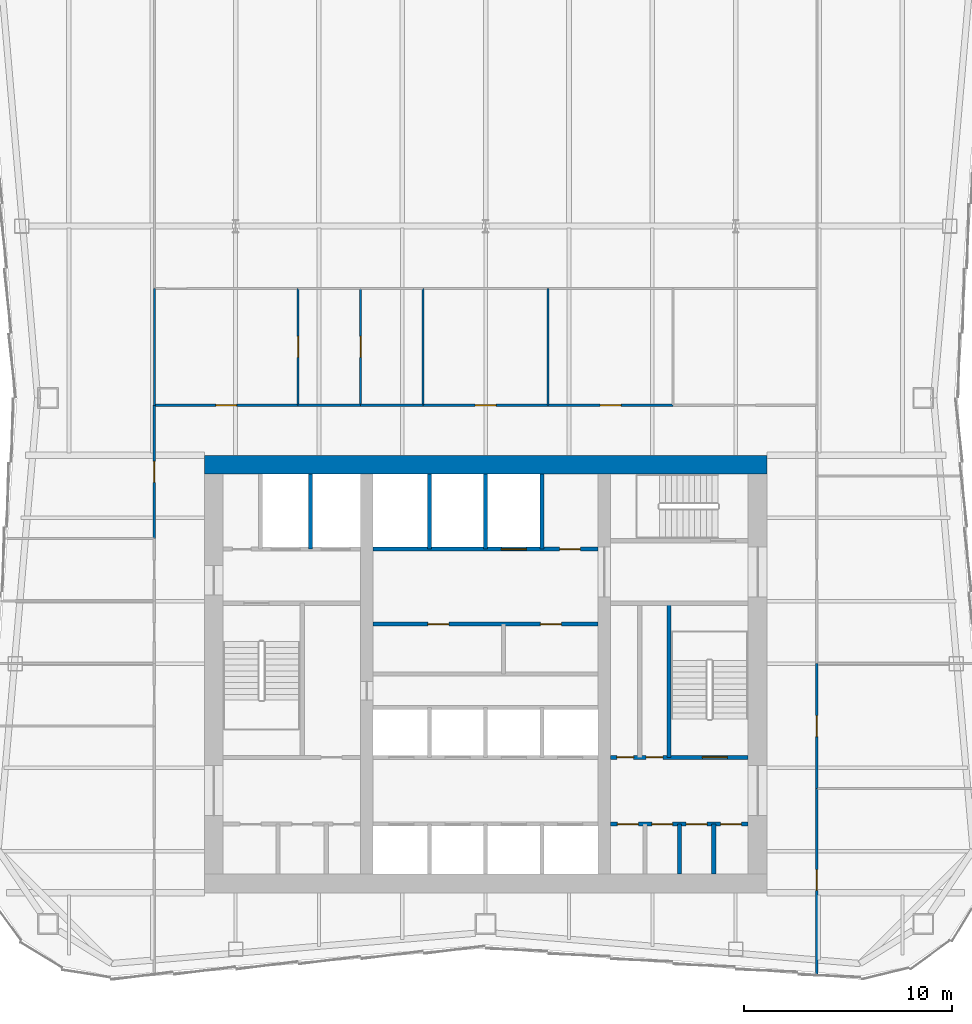
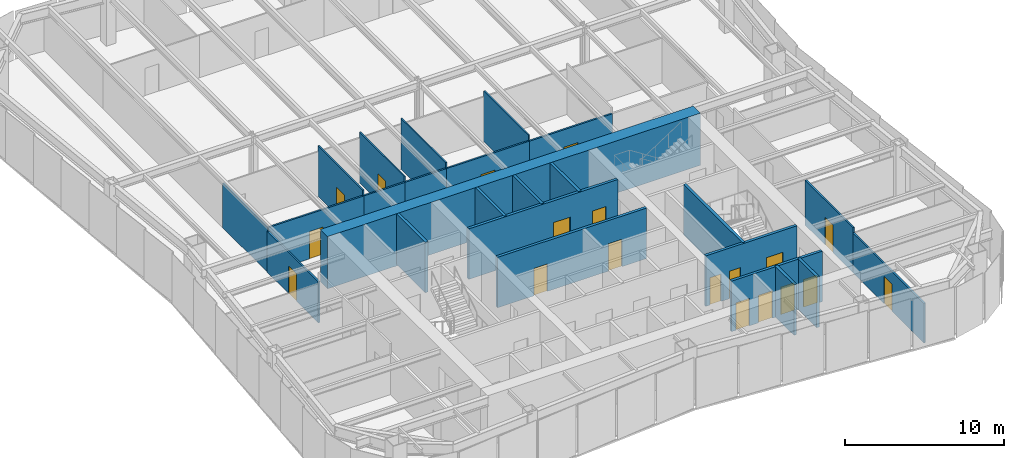
# One storey, part 6 of 10: 25 walls, 19 doors, 19 openings.
"""IFC4 building model written with IfcOpenShell, lengths in metres."""

from ifc_helpers import new_model, si_unit, direction, frame, frame_2d, origin, place, context, subcontext, project, spatial, rectangle, extrude, material, layer, layer_set, type_object, element, fill, save


model = new_model("IFC4")

# Units and contexts
model_context = context("Model", 3, precision=1e-05, world=origin(), true_north=direction((0.0, 1.0)))
body_context = subcontext(model_context, "Body", "Model", "MODEL_VIEW")
ifc_project = project(units=[si_unit("LENGTHUNIT", "METRE"), si_unit("AREAUNIT", "SQUARE_METRE"), si_unit("VOLUMEUNIT", "CUBIC_METRE"), si_unit("PLANEANGLEUNIT", "RADIAN"), si_unit("MASSUNIT", "GRAM", prefix="KILO")], contexts=[model_context])

# Site, building, storey
site_placement = place(None, origin())
site = spatial("IfcSite", under=ifc_project, at=site_placement, CompositionType="ELEMENT")
building_placement = place(site_placement, origin())
building = spatial("IfcBuilding", under=site, at=building_placement, Name="Verdant Reach Tower", CompositionType="ELEMENT")
storey_placement = place(building_placement, frame((0.0, 0.0, 198.0)))
storey = spatial("IfcBuildingStorey", under=building, at=storey_placement, Name="L45", CompositionType="ELEMENT", Elevation=198.0)

# Wall, openings, doors
ifc_material_1 = material(Name="Gypsum board on steel studs", Category="steel")
ifc_layer_1 = layer(ifc_material_1, 0.199951171875)
ifc_layer_set_1 = layer_set([ifc_layer_1], Name="CO-WALL-ROOM")
wall_type_1 = type_object("IfcWallType", Name="CO-WALL-ROOM", PredefinedType="PARTITIONING", material=ifc_layer_set_1)
wall_1_placement = place(storey_placement, frame((6.0, 20.800048828125, 0.0), z_axis=(0.0, 0.0, 1.0), x_axis=(1.0, 0.0, 0.0)))
wall_1 = element("IfcWall", 1, at=wall_1_placement, inside=storey, type_object=wall_type_1, Name="Core partition, L45", PredefinedType="PARTITIONING", context=body_context, shape_type="SweptSolid", body=[
    extrude(rectangle(XDim=6.60009765625, YDim=0.199951171875, at=frame_2d((3.300048828125, 0.0))), origin(), (0.0, 0.0, 1.0), 3.8701171875),
])
opening_1_placement = place(wall_1_placement, frame((0.324951171875, 0.0, 0.0)))
opening_1 = element("IfcOpeningElement", 2, at=opening_1_placement, cuts=wall_1, Name="Opening CD", PredefinedType="OPENING", context=body_context, shape_type="SweptSolid", body=[
    extrude(rectangle(XDim=1.0, YDim=2.10009765625, at=frame_2d((0.5, 1.050048828125))), frame((0.0, 0.10986328125, 0.0), z_axis=(0.0, -1.0, 0.0), x_axis=(1.0, 0.0, 0.0)), (0.0, 0.0, 1.0), 0.219970703125),
])
opening_2_placement = place(wall_1_placement, frame((1.97509765625, 0.0, 0.0)))
opening_2 = element("IfcOpeningElement", 3, at=opening_2_placement, cuts=wall_1, Name="Opening CD", PredefinedType="OPENING", context=body_context, shape_type="SweptSolid", body=[
    extrude(rectangle(XDim=1.0, YDim=2.10009765625, at=frame_2d((0.5, 1.050048828125))), frame((0.0, 0.10986328125, 0.0), z_axis=(0.0, -1.0, 0.0), x_axis=(1.0, 0.0, 0.0)), (0.0, 0.0, 1.0), 0.219970703125),
])
opening_3_placement = place(wall_1_placement, frame((3.625, 0.0, 0.0)))
opening_3 = element("IfcOpeningElement", 4, at=opening_3_placement, cuts=wall_1, Name="Opening CD", PredefinedType="OPENING", context=body_context, shape_type="SweptSolid", body=[
    extrude(rectangle(XDim=1.0, YDim=2.10009765625, at=frame_2d((0.5, 1.050048828125))), frame((0.0, 0.10986328125, 0.0), z_axis=(0.0, -1.0, 0.0), x_axis=(1.0, 0.0, 0.0)), (0.0, 0.0, 1.0), 0.219970703125),
])
opening_4_placement = place(wall_1_placement, frame((5.27490234375, 0.0, 0.0)))
opening_4 = element("IfcOpeningElement", 5, at=opening_4_placement, cuts=wall_1, Name="Opening CD", PredefinedType="OPENING", context=body_context, shape_type="SweptSolid", body=[
    extrude(rectangle(XDim=1.0, YDim=2.10009765625, at=frame_2d((0.5, 1.050048828125))), frame((0.0, 0.10986328125, 0.0), z_axis=(0.0, -1.0, 0.0), x_axis=(1.0, 0.0, 0.0)), (0.0, 0.0, 1.0), 0.219970703125),
])
ifc_material_2 = material(Name="Timber", Category="wood")
door_type_1 = type_object("IfcDoorType", Name="CO-DOOR-ROOM", OperationType="NOTDEFINED", PredefinedType="DOOR", material=ifc_material_2)
door_1_placement = place(opening_1_placement, origin())
door_1 = element("IfcDoor", 6, at=door_1_placement, inside=storey, type_object=door_type_1, Name="Core room door, L45", OperationType="SINGLE_SWING_LEFT", OverallHeight=2.10009765625, OverallWidth=1.0, PredefinedType="DOOR", context=body_context, shape_type="SweptSolid", body=[
    extrude(rectangle(XDim=1.0, YDim=2.10009765625, at=frame_2d((0.5, 1.050048828125))), frame((0.0, 0.02490234375, 0.0), z_axis=(0.0, -1.0, 0.0), x_axis=(1.0, 0.0, 0.0)), (0.0, 0.0, 1.0), 0.050048828125),
])
fill(opening_1, door_1)
door_2_placement = place(opening_2_placement, origin())
door_2 = element("IfcDoor", 7, at=door_2_placement, inside=storey, type_object=door_type_1, Name="Core room door, L45", OperationType="SINGLE_SWING_LEFT", OverallHeight=2.10009765625, OverallWidth=1.0, PredefinedType="DOOR", context=body_context, shape_type="SweptSolid", body=[
    extrude(rectangle(XDim=1.0, YDim=2.10009765625, at=frame_2d((0.5, 1.050048828125))), frame((0.0, 0.02490234375, 0.0), z_axis=(0.0, -1.0, 0.0), x_axis=(1.0, 0.0, 0.0)), (0.0, 0.0, 1.0), 0.050048828125),
])
fill(opening_2, door_2)
door_3_placement = place(opening_3_placement, origin())
door_3 = element("IfcDoor", 8, at=door_3_placement, inside=storey, type_object=door_type_1, Name="Core room door, L45", OperationType="SINGLE_SWING_RIGHT", OverallHeight=2.10009765625, OverallWidth=1.0, PredefinedType="DOOR", context=body_context, shape_type="SweptSolid", body=[
    extrude(rectangle(XDim=1.0, YDim=2.10009765625, at=frame_2d((0.5, 1.050048828125))), frame((0.0, 0.02490234375, 0.0), z_axis=(0.0, -1.0, 0.0), x_axis=(1.0, 0.0, 0.0)), (0.0, 0.0, 1.0), 0.050048828125),
])
fill(opening_3, door_3)
door_4_placement = place(opening_4_placement, origin())
door_4 = element("IfcDoor", 9, at=door_4_placement, inside=storey, type_object=door_type_1, Name="Core room door, L45", OperationType="SINGLE_SWING_RIGHT", OverallHeight=2.10009765625, OverallWidth=1.0, PredefinedType="DOOR", context=body_context, shape_type="SweptSolid", body=[
    extrude(rectangle(XDim=1.0, YDim=2.10009765625, at=frame_2d((0.5, 1.050048828125))), frame((0.0, 0.02490234375, 0.0), z_axis=(0.0, -1.0, 0.0), x_axis=(1.0, 0.0, 0.0)), (0.0, 0.0, 1.0), 0.050048828125),
])
fill(opening_4, door_4)

wall_2_placement = place(storey_placement, frame((-5.39990234375, 30.39990234375, 0.0), z_axis=(0.0, 0.0, 1.0), x_axis=(1.0, 0.0, 0.0)))
wall_2 = element("IfcWall", 10, at=wall_2_placement, inside=storey, type_object=wall_type_1, Name="Core partition, L45", PredefinedType="PARTITIONING", context=body_context, shape_type="SweptSolid", body=[
    extrude(rectangle(XDim=10.7998046875, YDim=0.199951171875, at=frame_2d((5.39990234375, 0.0))), origin(), (0.0, 0.0, 1.0), 3.8701171875),
])
opening_5_placement = place(wall_2_placement, frame((2.632080078125, 0.0, 0.0)))
opening_5 = element("IfcOpeningElement", 11, at=opening_5_placement, cuts=wall_2, Name="Opening CD", PredefinedType="OPENING", context=body_context, shape_type="SweptSolid", body=[
    extrude(rectangle(XDim=1.0, YDim=2.10009765625, at=frame_2d((0.5, 1.050048828125))), frame((0.0, 0.10986328125, 0.0), z_axis=(0.0, -1.0, 0.0), x_axis=(1.0, 0.0, 0.0)), (0.0, 0.0, 1.0), 0.219970703125),
])
opening_6_placement = place(wall_2_placement, frame((8.031982421875, 0.0, 0.0)))
opening_6 = element("IfcOpeningElement", 12, at=opening_6_placement, cuts=wall_2, Name="Opening CD", PredefinedType="OPENING", context=body_context, shape_type="SweptSolid", body=[
    extrude(rectangle(XDim=1.0, YDim=2.10009765625, at=frame_2d((0.5, 1.050048828125))), frame((0.0, 0.10986328125, 0.0), z_axis=(0.0, -1.0, 0.0), x_axis=(1.0, 0.0, 0.0)), (0.0, 0.0, 1.0), 0.219970703125),
])
door_5_placement = place(opening_5_placement, origin())
door_5 = element("IfcDoor", 13, at=door_5_placement, inside=storey, type_object=door_type_1, Name="Core room door, L45", OperationType="SINGLE_SWING_LEFT", OverallHeight=2.10009765625, OverallWidth=1.0, PredefinedType="DOOR", context=body_context, shape_type="SweptSolid", body=[
    extrude(rectangle(XDim=1.0, YDim=2.10009765625, at=frame_2d((0.5, 1.050048828125))), frame((0.0, 0.02490234375, 0.0), z_axis=(0.0, -1.0, 0.0), x_axis=(1.0, 0.0, 0.0)), (0.0, 0.0, 1.0), 0.050048828125),
])
fill(opening_5, door_5)
door_6_placement = place(opening_6_placement, origin())
door_6 = element("IfcDoor", 14, at=door_6_placement, inside=storey, type_object=door_type_1, Name="Core room door, L45", OperationType="SINGLE_SWING_RIGHT", OverallHeight=2.10009765625, OverallWidth=1.0, PredefinedType="DOOR", context=body_context, shape_type="SweptSolid", body=[
    extrude(rectangle(XDim=1.0, YDim=2.10009765625, at=frame_2d((0.5, 1.050048828125))), frame((0.0, 0.02490234375, 0.0), z_axis=(0.0, -1.0, 0.0), x_axis=(1.0, 0.0, 0.0)), (0.0, 0.0, 1.0), 0.050048828125),
])
fill(opening_6, door_6)

# Walls
for number, where, z_axis, x_axis, name in (
    (15, (9.300048828125, 18.39990234375, 0.0), (0.0, 0.0, 1.0), (0.0, 1.0, 0.0), "Core partition, L45"),
    (16, (10.949951171875, 18.39990234375, 0.0), (0.0, 0.0, 1.0), (0.0, 1.0, 0.0), "Core partition, L45"),
):
    element("IfcWall", number, at=place(storey_placement, frame(where, z_axis=z_axis, x_axis=x_axis)), inside=storey, type_object=wall_type_1, Name=name, PredefinedType="PARTITIONING", context=body_context, shape_type="SweptSolid", body=[
        extrude(rectangle(XDim=2.400146484375, YDim=0.199951171875, at=frame_2d((1.2001953125, 0.0))), origin(), (0.0, 0.0, 1.0), 3.8701171875),
    ])

# Wall, openings, doors
ifc_material_3 = material(Name="Concrete C40/50", Category="concrete")
ifc_layer_2 = layer(ifc_material_3, 0.199951171875)
ifc_layer_set_2 = layer_set([ifc_layer_2], Name="CO-WALL-SHAFT")
wall_type_2 = type_object("IfcWallType", Name="CO-WALL-SHAFT", PredefinedType="PARTITIONING", material=ifc_layer_set_2)
wall_3_placement = place(storey_placement, frame((-5.39990234375, 34.0, 0.0), z_axis=(0.0, 0.0, 1.0), x_axis=(1.0, 0.0, 0.0)))
wall_3 = element("IfcWall", 17, at=wall_3_placement, inside=storey, type_object=wall_type_2, Name="Lift shaft wall, L45", PredefinedType="PARTITIONING", context=body_context, shape_type="SweptSolid", body=[
    extrude(rectangle(XDim=10.7998046875, YDim=0.199951171875, at=frame_2d((5.39990234375, 0.0))), origin(), (0.0, 0.0, 1.0), 3.8701171875),
])
opening_7_placement = place(wall_3_placement, frame((6.14990234375, 0.0, 0.0)))
opening_7 = element("IfcOpeningElement", 18, at=opening_7_placement, cuts=wall_3, Name="Opening LD-SL1", PredefinedType="OPENING", context=body_context, shape_type="SweptSolid", body=[
    extrude(rectangle(XDim=1.199951171875, YDim=2.199951171875, at=frame_2d((0.60009765625, 1.10009765625))), frame((0.0, 0.10986328125, 0.0), z_axis=(0.0, -1.0, 0.0), x_axis=(1.0, 0.0, 0.0)), (0.0, 0.0, 1.0), 0.219970703125),
])
opening_8_placement = place(wall_3_placement, frame((8.949951171875, 0.0, 0.0)))
opening_8 = element("IfcOpeningElement", 19, at=opening_8_placement, cuts=wall_3, Name="Opening CD", PredefinedType="OPENING", context=body_context, shape_type="SweptSolid", body=[
    extrude(rectangle(XDim=1.0, YDim=2.10009765625, at=frame_2d((0.5, 1.050048828125))), frame((0.0, 0.10986328125, 0.0), z_axis=(0.0, -1.0, 0.0), x_axis=(1.0, 0.0, 0.0)), (0.0, 0.0, 1.0), 0.219970703125),
])
ifc_material_4 = material(Name="Stainless steel", Category="steel")
door_type_2 = type_object("IfcDoorType", Name="CO-DOOR-LANDING", OperationType="SLIDING_TO_LEFT", PredefinedType="DOOR", material=ifc_material_4)
door_7_placement = place(opening_7_placement, origin())
door_7 = element("IfcDoor", 20, at=door_7_placement, inside=storey, type_object=door_type_2, Name="Landing door SL1, L45", OperationType="SLIDING_TO_LEFT", OverallHeight=2.199951171875, OverallWidth=1.199951171875, PredefinedType="DOOR", context=body_context, shape_type="SweptSolid", body=[
    extrude(rectangle(XDim=1.199951171875, YDim=2.199951171875, at=frame_2d((0.60009765625, 1.10009765625))), frame((0.0, 0.02490234375, 0.0), z_axis=(0.0, -1.0, 0.0), x_axis=(1.0, 0.0, 0.0)), (0.0, 0.0, 1.0), 0.050048828125),
])
fill(opening_7, door_7)
door_8_placement = place(opening_8_placement, origin())
door_8 = element("IfcDoor", 21, at=door_8_placement, inside=storey, type_object=door_type_1, Name="Core room door, L45", OperationType="SINGLE_SWING_LEFT", OverallHeight=2.10009765625, OverallWidth=1.0, PredefinedType="DOOR", context=body_context, shape_type="SweptSolid", body=[
    extrude(rectangle(XDim=1.0, YDim=2.10009765625, at=frame_2d((0.5, 1.050048828125))), frame((0.0, 0.02490234375, 0.0), z_axis=(0.0, -1.0, 0.0), x_axis=(1.0, 0.0, 0.0)), (0.0, 0.0, 1.0), 0.050048828125),
])
fill(opening_8, door_8)

# Walls
for number, where, z_axis, x_axis, name in (
    (22, (-8.39990234375, 34.0, 0.0), (0.0, 0.0, 1.0), (0.0, 1.0, 0.0), "Lift shaft wall, L45"),
    (23, (-2.699951171875, 34.0, 0.0), (0.0, 0.0, 1.0), (0.0, 1.0, 0.0), "Lift shaft wall, L45"),
    (24, (0.0, 34.0, 0.0), (0.0, 0.0, 1.0), (0.0, 1.0, 0.0), "Lift shaft wall, L45"),
    (25, (2.699951171875, 34.0, 0.0), (0.0, 0.0, 1.0), (0.0, 1.0, 0.0), "Lift shaft wall, L45"),
):
    element("IfcWall", number, at=place(storey_placement, frame(where, z_axis=z_axis, x_axis=x_axis)), inside=storey, type_object=wall_type_2, Name=name, PredefinedType="PARTITIONING", context=body_context, shape_type="SweptSolid", body=[
        extrude(rectangle(XDim=3.60009765625, YDim=0.199951171875, at=frame_2d((1.800048828125, 0.0))), origin(), (0.0, 0.0, 1.0), 3.8701171875),
    ])

# Wall, openings, doors
ifc_layer_3 = layer(ifc_material_3, 0.199951171875)
ifc_layer_set_3 = layer_set([ifc_layer_3], Name="CO-WALL-STAIR")
wall_type_3 = type_object("IfcWallType", Name="CO-WALL-STAIR", PredefinedType="PARTITIONING", material=ifc_layer_set_3)
wall_4_placement = place(storey_placement, frame((6.0, 24.0, 0.0), z_axis=(0.0, 0.0, 1.0), x_axis=(1.0, 0.0, 0.0)))
wall_4 = element("IfcWall", 26, at=wall_4_placement, inside=storey, type_object=wall_type_3, Name="Stair enclosure wall, L45", PredefinedType="PARTITIONING", context=body_context, shape_type="SweptSolid", body=[
    extrude(rectangle(XDim=6.60009765625, YDim=0.199951171875, at=frame_2d((3.300048828125, 0.0))), origin(), (0.0, 0.0, 1.0), 3.8701171875),
])
opening_9_placement = place(wall_4_placement, frame((0.300048828125, 0.0, 0.0)))
opening_9 = element("IfcOpeningElement", 27, at=opening_9_placement, cuts=wall_4, Name="Opening CDN", PredefinedType="OPENING", context=body_context, shape_type="SweptSolid", body=[
    extrude(rectangle(XDim=0.800048828125, YDim=2.10009765625, at=frame_2d((0.39990234375, 1.050048828125))), frame((0.0, 0.10986328125, 0.0), z_axis=(0.0, -1.0, 0.0), x_axis=(1.0, 0.0, 0.0)), (0.0, 0.0, 1.0), 0.219970703125),
])
opening_10_placement = place(wall_4_placement, frame((1.699951171875, 0.0, 0.0)))
opening_10 = element("IfcOpeningElement", 28, at=opening_10_placement, cuts=wall_4, Name="Opening CDN", PredefinedType="OPENING", context=body_context, shape_type="SweptSolid", body=[
    extrude(rectangle(XDim=0.800048828125, YDim=2.10009765625, at=frame_2d((0.39990234375, 1.050048828125))), frame((0.0, 0.10986328125, 0.0), z_axis=(0.0, -1.0, 0.0), x_axis=(1.0, 0.0, 0.0)), (0.0, 0.0, 1.0), 0.219970703125),
])
opening_11_placement = place(wall_4_placement, frame((4.39990234375, 0.0, 0.0)))
opening_11 = element("IfcOpeningElement", 29, at=opening_11_placement, cuts=wall_4, Name="Opening SD", PredefinedType="OPENING", context=body_context, shape_type="SweptSolid", body=[
    extrude(rectangle(XDim=1.199951171875, YDim=2.199951171875, at=frame_2d((0.60009765625, 1.10009765625))), frame((0.0, 0.10986328125, 0.0), z_axis=(0.0, -1.0, 0.0), x_axis=(1.0, 0.0, 0.0)), (0.0, 0.0, 1.0), 0.219970703125),
])
door_type_3 = type_object("IfcDoorType", Name="CO-DOOR-ROOM-NARROW", OperationType="NOTDEFINED", PredefinedType="DOOR", material=ifc_material_2)
door_9_placement = place(opening_9_placement, origin())
door_9 = element("IfcDoor", 30, at=door_9_placement, inside=storey, type_object=door_type_3, Name="Core room door, L45", OperationType="SINGLE_SWING_LEFT", OverallHeight=2.10009765625, OverallWidth=0.800048828125, PredefinedType="DOOR", context=body_context, shape_type="SweptSolid", body=[
    extrude(rectangle(XDim=0.800048828125, YDim=2.10009765625, at=frame_2d((0.39990234375, 1.050048828125))), frame((0.0, 0.02490234375, 0.0), z_axis=(0.0, -1.0, 0.0), x_axis=(1.0, 0.0, 0.0)), (0.0, 0.0, 1.0), 0.050048828125),
])
fill(opening_9, door_9)
door_10_placement = place(opening_10_placement, origin())
door_10 = element("IfcDoor", 31, at=door_10_placement, inside=storey, type_object=door_type_3, Name="Core room door, L45", OperationType="SINGLE_SWING_RIGHT", OverallHeight=2.10009765625, OverallWidth=0.800048828125, PredefinedType="DOOR", context=body_context, shape_type="SweptSolid", body=[
    extrude(rectangle(XDim=0.800048828125, YDim=2.10009765625, at=frame_2d((0.39990234375, 1.050048828125))), frame((0.0, 0.02490234375, 0.0), z_axis=(0.0, -1.0, 0.0), x_axis=(1.0, 0.0, 0.0)), (0.0, 0.0, 1.0), 0.050048828125),
])
fill(opening_10, door_10)
ifc_material_5 = material(Name="Steel", Category="steel")
door_type_4 = type_object("IfcDoorType", Name="CO-DOOR-STAIR", OperationType="NOTDEFINED", PredefinedType="DOOR", material=ifc_material_5)
door_11_placement = place(opening_11_placement, origin())
door_11 = element("IfcDoor", 32, at=door_11_placement, inside=storey, type_object=door_type_4, Name="Stair door, L45", OperationType="SINGLE_SWING_LEFT", OverallHeight=2.199951171875, OverallWidth=1.199951171875, PredefinedType="DOOR", context=body_context, shape_type="SweptSolid", body=[
    extrude(rectangle(XDim=1.199951171875, YDim=2.199951171875, at=frame_2d((0.60009765625, 1.10009765625))), frame((0.0, 0.02490234375, 0.0), z_axis=(0.0, -1.0, 0.0), x_axis=(1.0, 0.0, 0.0)), (0.0, 0.0, 1.0), 0.050048828125),
])
fill(opening_11, door_11)

# Wall
wall_5_placement = place(storey_placement, frame((8.800048828125, 24.0, 0.0), z_axis=(0.0, 0.0, 1.0), x_axis=(0.0, 1.0, 0.0)))
element("IfcWall", 33, at=wall_5_placement, inside=storey, type_object=wall_type_3, Name="Stair enclosure wall, L45", PredefinedType="PARTITIONING", context=body_context, shape_type="SweptSolid", body=[
    extrude(rectangle(XDim=7.39990234375, YDim=0.199951171875, at=frame_2d((3.699951171875, 0.0))), origin(), (0.0, 0.0, 1.0), 3.8701171875),
])

# Wall, opening, door
ifc_layer_4 = layer(ifc_material_1, 0.10009765625)
ifc_layer_set_4 = layer_set([ifc_layer_4], Name="FL-W1 Partition 100")
wall_type_4 = type_object("IfcWallType", Name="FL-W1 Partition 100", PredefinedType="PARTITIONING", material=ifc_layer_set_4)
wall_6_placement = place(storey_placement, frame((-9.0, 46.5, 0.0), z_axis=(0.0, 0.0, 1.0), x_axis=(0.0, -1.0, 0.0)))
wall_6 = element("IfcWall", 34, at=wall_6_placement, inside=storey, type_object=wall_type_4, Name="Partition 45.16", PredefinedType="PARTITIONING", context=body_context, shape_type="SweptSolid", body=[
    extrude(rectangle(XDim=5.60009765625, YDim=0.10009765625, at=frame_2d((2.800048828125, 0.0))), origin(), (0.0, 0.0, 1.0), 3.8701171875),
])
opening_12_placement = place(wall_6_placement, frame((2.300048828125, 0.0, 0.0)))
opening_12 = element("IfcOpeningElement", 35, at=opening_12_placement, cuts=wall_6, Name="Opening D3", PredefinedType="OPENING", context=body_context, shape_type="SweptSolid", body=[
    extrude(rectangle(XDim=1.0, YDim=2.10009765625, at=frame_2d((0.5, 1.050048828125))), frame((0.0, 0.06005859375, 0.0), z_axis=(0.0, -1.0, 0.0), x_axis=(1.0, 0.0, 0.0)), (0.0, 0.0, 1.0), 0.1201171875),
])
ifc_material_6 = material(Name="Painted timber door leaf", Category="wood")
door_type_5 = type_object("IfcDoorType", Name="FL-D3 Door 1000x2100", OperationType="NOTDEFINED", PredefinedType="DOOR", material=ifc_material_6)
door_12_placement = place(opening_12_placement, origin())
door_12 = element("IfcDoor", 36, at=door_12_placement, inside=storey, type_object=door_type_5, Name="Door 45-014", OperationType="SINGLE_SWING_RIGHT", OverallHeight=2.10009765625, OverallWidth=1.0, PredefinedType="DOOR", context=body_context, shape_type="SweptSolid", body=[
    extrude(rectangle(XDim=1.0, YDim=2.10009765625, at=frame_2d((0.5, 1.050048828125))), frame((0.0, 0.02490234375, 0.0), z_axis=(0.0, -1.0, 0.0), x_axis=(1.0, 0.0, 0.0)), (0.0, 0.0, 1.0), 0.050048828125),
])
fill(opening_12, door_12)

# Wall
wall_7_placement = place(storey_placement, frame((-15.89990234375, 46.50390625, 0.0), z_axis=(0.0, 0.0, 1.0), x_axis=(0.0, -1.0, 0.0)))
element("IfcWall", 37, at=wall_7_placement, inside=storey, type_object=wall_type_4, Name="Partition 45.18", PredefinedType="PARTITIONING", context=body_context, shape_type="SweptSolid", body=[
    extrude(rectangle(XDim=5.60791015625, YDim=0.10009765625, at=frame_2d((2.803955078125, 0.0))), origin(), (0.0, 0.0, 1.0), 3.43994140625),
])

# Wall, opening, door
wall_8_placement = place(storey_placement, frame((-6.0, 46.5, 0.0), z_axis=(0.0, 0.0, 1.0), x_axis=(0.0, -1.0, 0.0)))
wall_8 = element("IfcWall", 38, at=wall_8_placement, inside=storey, type_object=wall_type_4, Name="Partition 45.19", PredefinedType="PARTITIONING", context=body_context, shape_type="SweptSolid", body=[
    extrude(rectangle(XDim=5.60009765625, YDim=0.10009765625, at=frame_2d((2.800048828125, 0.0))), origin(), (0.0, 0.0, 1.0), 3.8701171875),
])
opening_13_placement = place(wall_8_placement, frame((2.300048828125, 0.0, 0.0)))
opening_13 = element("IfcOpeningElement", 39, at=opening_13_placement, cuts=wall_8, Name="Opening D3", PredefinedType="OPENING", context=body_context, shape_type="SweptSolid", body=[
    extrude(rectangle(XDim=1.0, YDim=2.10009765625, at=frame_2d((0.5, 1.050048828125))), frame((0.0, 0.06005859375, 0.0), z_axis=(0.0, -1.0, 0.0), x_axis=(1.0, 0.0, 0.0)), (0.0, 0.0, 1.0), 0.1201171875),
])
door_13_placement = place(opening_13_placement, origin())
door_13 = element("IfcDoor", 40, at=door_13_placement, inside=storey, type_object=door_type_5, Name="Door 45-016", OperationType="SINGLE_SWING_RIGHT", OverallHeight=2.10009765625, OverallWidth=1.0, PredefinedType="DOOR", context=body_context, shape_type="SweptSolid", body=[
    extrude(rectangle(XDim=1.0, YDim=2.10009765625, at=frame_2d((0.5, 1.050048828125))), frame((0.0, 0.02490234375, 0.0), z_axis=(0.0, -1.0, 0.0), x_axis=(1.0, 0.0, 0.0)), (0.0, 0.0, 1.0), 0.050048828125),
])
fill(opening_13, door_13)

# Walls
for number, where, z_axis, x_axis, name in (
    (41, (-3.0, 40.89990234375, 0.0), (0.0, 0.0, 1.0), (0.0, 1.0, 0.0), "Partition 45.21"),
    (42, (3.0, 40.89990234375, 0.0), (0.0, 0.0, 1.0), (0.0, 1.0, 0.0), "Partition 45.23"),
):
    element("IfcWall", number, at=place(storey_placement, frame(where, z_axis=z_axis, x_axis=x_axis)), inside=storey, type_object=wall_type_4, Name=name, PredefinedType="PARTITIONING", context=body_context, shape_type="SweptSolid", body=[
        extrude(rectangle(XDim=5.60009765625, YDim=0.10009765625, at=frame_2d((2.800048828125, 0.0))), origin(), (0.0, 0.0, 1.0), 3.8701171875),
    ])

# Wall, opening, door
ifc_material_7 = material(Name="Gypsum board on steel studs, fire rated", Category="steel")
ifc_layer_5 = layer(ifc_material_7, 0.125)
ifc_layer_set_5 = layer_set([ifc_layer_5], Name="FL-W2 Corridor wall 125")
wall_type_5 = type_object("IfcWallType", Name="FL-W2 Corridor wall 125", PredefinedType="PARTITIONING", material=ifc_layer_set_5)
wall_9_placement = place(storey_placement, frame((-15.89990234375, 40.89990234375, 0.0), z_axis=(0.0, 0.0, 1.0), x_axis=(1.0, 0.0, 0.0)))
wall_9 = element("IfcWall", 43, at=wall_9_placement, inside=storey, type_object=wall_type_5, Name="Partition 45.01", PredefinedType="PARTITIONING", context=body_context, shape_type="SweptSolid", body=[
    extrude(rectangle(XDim=6.89990234375, YDim=0.125, at=frame_2d((3.449951171875, 0.0))), origin(), (0.0, 0.0, 1.0), 3.43994140625),
])
opening_14_placement = place(wall_9_placement, frame((2.949951171875, 0.0, 0.0)))
opening_14 = element("IfcOpeningElement", 44, at=opening_14_placement, cuts=wall_9, Name="Opening D2", PredefinedType="OPENING", context=body_context, shape_type="SweptSolid", body=[
    extrude(rectangle(XDim=1.0, YDim=2.10009765625, at=frame_2d((0.5, 1.050048828125))), frame((0.0, 0.072509765625, 0.0), z_axis=(0.0, -1.0, 0.0), x_axis=(1.0, 0.0, 0.0)), (0.0, 0.0, 1.0), 0.14501953125),
])
ifc_material_8 = material(Name="Timber door leaf, fire rated", Category="wood")
door_type_6 = type_object("IfcDoorType", Name="FL-D2 Entrance door 1000x2100 FD30", OperationType="NOTDEFINED", PredefinedType="DOOR", material=ifc_material_8)
door_14_placement = place(opening_14_placement, origin())
door_14 = element("IfcDoor", 45, at=door_14_placement, inside=storey, type_object=door_type_6, Name="Door 45-001", OperationType="SINGLE_SWING_LEFT", OverallHeight=2.10009765625, OverallWidth=1.0, PredefinedType="DOOR", context=body_context, shape_type="SweptSolid", body=[
    extrude(rectangle(XDim=1.0, YDim=2.10009765625, at=frame_2d((0.5, 1.050048828125))), frame((0.0, 0.02490234375, 0.0), z_axis=(0.0, -1.0, 0.0), x_axis=(1.0, 0.0, 0.0)), (0.0, 0.0, 1.0), 0.050048828125),
])
fill(opening_14, door_14)

# Walls
for number, where, z_axis, x_axis, name in (
    (46, (-6.0, 40.89990234375, 0.0), (0.0, 0.0, 1.0), (-1.0, 0.0, 0.0), "Partition 45.02"),
    (47, (-3.0, 40.89990234375, 0.0), (0.0, 0.0, 1.0), (-1.0, 0.0, 0.0), "Partition 45.03"),
):
    element("IfcWall", number, at=place(storey_placement, frame(where, z_axis=z_axis, x_axis=x_axis)), inside=storey, type_object=wall_type_5, Name=name, PredefinedType="PARTITIONING", context=body_context, shape_type="SweptSolid", body=[
        extrude(rectangle(XDim=3.0, YDim=0.125, at=frame_2d((1.5, 0.0))), origin(), (0.0, 0.0, 1.0), 3.43994140625),
    ])

# Wall, opening, door
wall_10_placement = place(storey_placement, frame((-3.0, 40.89990234375, 0.0), z_axis=(0.0, 0.0, 1.0), x_axis=(1.0, 0.0, 0.0)))
wall_10 = element("IfcWall", 48, at=wall_10_placement, inside=storey, type_object=wall_type_5, Name="Partition 45.04", PredefinedType="PARTITIONING", context=body_context, shape_type="SweptSolid", body=[
    extrude(rectangle(XDim=6.0, YDim=0.125, at=frame_2d((3.0, 0.0))), origin(), (0.0, 0.0, 1.0), 3.43994140625),
])
opening_15_placement = place(wall_10_placement, frame((2.5, 0.0, 0.0)))
opening_15 = element("IfcOpeningElement", 49, at=opening_15_placement, cuts=wall_10, Name="Opening D2", PredefinedType="OPENING", context=body_context, shape_type="SweptSolid", body=[
    extrude(rectangle(XDim=1.0, YDim=2.10009765625, at=frame_2d((0.5, 1.050048828125))), frame((0.0, 0.072509765625, 0.0), z_axis=(0.0, -1.0, 0.0), x_axis=(1.0, 0.0, 0.0)), (0.0, 0.0, 1.0), 0.14501953125),
])
door_15_placement = place(opening_15_placement, origin())
door_15 = element("IfcDoor", 50, at=door_15_placement, inside=storey, type_object=door_type_6, Name="Door 45-002", OperationType="SINGLE_SWING_RIGHT", OverallHeight=2.10009765625, OverallWidth=1.0, PredefinedType="DOOR", context=body_context, shape_type="SweptSolid", body=[
    extrude(rectangle(XDim=1.0, YDim=2.10009765625, at=frame_2d((0.5, 1.050048828125))), frame((0.0, 0.02490234375, 0.0), z_axis=(0.0, -1.0, 0.0), x_axis=(1.0, 0.0, 0.0)), (0.0, 0.0, 1.0), 0.050048828125),
])
fill(opening_15, door_15)

wall_11_placement = place(storey_placement, frame((3.0, 40.89990234375, 0.0), z_axis=(0.0, 0.0, 1.0), x_axis=(1.0, 0.0, 0.0)))
wall_11 = element("IfcWall", 51, at=wall_11_placement, inside=storey, type_object=wall_type_5, Name="Partition 45.05", PredefinedType="PARTITIONING", context=body_context, shape_type="SweptSolid", body=[
    extrude(rectangle(XDim=6.0, YDim=0.125, at=frame_2d((3.0, 0.0))), origin(), (0.0, 0.0, 1.0), 3.43994140625),
])
opening_16_placement = place(wall_11_placement, frame((2.5, 0.0, 0.0)))
opening_16 = element("IfcOpeningElement", 52, at=opening_16_placement, cuts=wall_11, Name="Opening D2", PredefinedType="OPENING", context=body_context, shape_type="SweptSolid", body=[
    extrude(rectangle(XDim=1.0, YDim=2.10009765625, at=frame_2d((0.5, 1.050048828125))), frame((0.0, 0.072509765625, 0.0), z_axis=(0.0, -1.0, 0.0), x_axis=(1.0, 0.0, 0.0)), (0.0, 0.0, 1.0), 0.14501953125),
])
door_16_placement = place(opening_16_placement, origin())
door_16 = element("IfcDoor", 53, at=door_16_placement, inside=storey, type_object=door_type_6, Name="Door 45-003", OperationType="SINGLE_SWING_LEFT", OverallHeight=2.10009765625, OverallWidth=1.0, PredefinedType="DOOR", context=body_context, shape_type="SweptSolid", body=[
    extrude(rectangle(XDim=1.0, YDim=2.10009765625, at=frame_2d((0.5, 1.050048828125))), frame((0.0, 0.02490234375, 0.0), z_axis=(0.0, -1.0, 0.0), x_axis=(1.0, 0.0, 0.0)), (0.0, 0.0, 1.0), 0.050048828125),
])
fill(opening_16, door_16)

wall_12_placement = place(storey_placement, frame((-15.89990234375, 34.5, 0.0), z_axis=(0.0, 0.0, 1.0), x_axis=(0.0, 1.0, 0.0)))
wall_12 = element("IfcWall", 54, at=wall_12_placement, inside=storey, type_object=wall_type_5, Name="Partition 45.11", PredefinedType="PARTITIONING", context=body_context, shape_type="SweptSolid", body=[
    extrude(rectangle(XDim=6.404052734375, YDim=0.125, at=frame_2d((3.2021484375, 0.0))), origin(), (0.0, 0.0, 1.0), 3.139892578125),
])
opening_17_placement = place(wall_12_placement, frame((2.701904296875, 0.0, 0.0)))
opening_17 = element("IfcOpeningElement", 55, at=opening_17_placement, cuts=wall_12, Name="Opening D2", PredefinedType="OPENING", context=body_context, shape_type="SweptSolid", body=[
    extrude(rectangle(XDim=1.0, YDim=2.10009765625, at=frame_2d((0.5, 1.050048828125))), frame((0.0, 0.072509765625, 0.0), z_axis=(0.0, -1.0, 0.0), x_axis=(1.0, 0.0, 0.0)), (0.0, 0.0, 1.0), 0.14501953125),
])
door_17_placement = place(opening_17_placement, origin())
door_17 = element("IfcDoor", 56, at=door_17_placement, inside=storey, type_object=door_type_6, Name="Door 45-009", OperationType="SINGLE_SWING_LEFT", OverallHeight=2.10009765625, OverallWidth=1.0, PredefinedType="DOOR", context=body_context, shape_type="SweptSolid", body=[
    extrude(rectangle(XDim=1.0, YDim=2.10009765625, at=frame_2d((0.5, 1.050048828125))), frame((0.0, 0.02490234375, 0.0), z_axis=(0.0, -1.0, 0.0), x_axis=(1.0, 0.0, 0.0)), (0.0, 0.0, 1.0), 0.050048828125),
])
fill(opening_17, door_17)

wall_13_placement = place(storey_placement, frame((15.89990234375, 22.5, 0.0), z_axis=(0.0, 0.0, 1.0), x_axis=(0.0, -1.0, 0.0)))
wall_13 = element("IfcWall", 57, at=wall_13_placement, inside=storey, type_object=wall_type_5, Name="Partition 45.12", PredefinedType="PARTITIONING", context=body_context, shape_type="SweptSolid", body=[
    extrude(rectangle(XDim=8.905029296875, YDim=0.125, at=frame_2d((4.45263671875, 0.0))), origin(), (0.0, 0.0, 1.0), 3.0400390625),
])
opening_18_placement = place(wall_13_placement, frame((3.887451171875, 0.0, 0.0)))
opening_18 = element("IfcOpeningElement", 58, at=opening_18_placement, cuts=wall_13, Name="Opening D2", PredefinedType="OPENING", context=body_context, shape_type="SweptSolid", body=[
    extrude(rectangle(XDim=1.0, YDim=2.10009765625, at=frame_2d((0.5, 1.050048828125))), frame((0.0, 0.072509765625, 0.0), z_axis=(0.0, -1.0, 0.0), x_axis=(1.0, 0.0, 0.0)), (0.0, 0.0, 1.0), 0.14501953125),
])
door_18_placement = place(opening_18_placement, origin())
door_18 = element("IfcDoor", 59, at=door_18_placement, inside=storey, type_object=door_type_6, Name="Door 45-010", OperationType="SINGLE_SWING_LEFT", OverallHeight=2.10009765625, OverallWidth=1.0, PredefinedType="DOOR", context=body_context, shape_type="SweptSolid", body=[
    extrude(rectangle(XDim=1.0, YDim=2.10009765625, at=frame_2d((0.5, 1.050048828125))), frame((0.0, 0.02490234375, 0.0), z_axis=(0.0, -1.0, 0.0), x_axis=(1.0, 0.0, 0.0)), (0.0, 0.0, 1.0), 0.050048828125),
])
fill(opening_18, door_18)

wall_14_placement = place(storey_placement, frame((15.89990234375, 28.5, 0.0), z_axis=(0.0, 0.0, 1.0), x_axis=(0.0, -1.0, 0.0)))
wall_14 = element("IfcWall", 60, at=wall_14_placement, inside=storey, type_object=wall_type_5, Name="Partition 45.13", PredefinedType="PARTITIONING", context=body_context, shape_type="SweptSolid", body=[
    extrude(rectangle(XDim=6.0, YDim=0.125, at=frame_2d((3.0, 0.0))), origin(), (0.0, 0.0, 1.0), 3.43994140625),
])
opening_19_placement = place(wall_14_placement, frame((2.5, 0.0, 0.0)))
opening_19 = element("IfcOpeningElement", 61, at=opening_19_placement, cuts=wall_14, Name="Opening D2", PredefinedType="OPENING", context=body_context, shape_type="SweptSolid", body=[
    extrude(rectangle(XDim=1.0, YDim=2.10009765625, at=frame_2d((0.5, 1.050048828125))), frame((0.0, 0.072509765625, 0.0), z_axis=(0.0, -1.0, 0.0), x_axis=(1.0, 0.0, 0.0)), (0.0, 0.0, 1.0), 0.14501953125),
])
door_19_placement = place(opening_19_placement, origin())
door_19 = element("IfcDoor", 62, at=door_19_placement, inside=storey, type_object=door_type_6, Name="Door 45-011", OperationType="SINGLE_SWING_LEFT", OverallHeight=2.10009765625, OverallWidth=1.0, PredefinedType="DOOR", context=body_context, shape_type="SweptSolid", body=[
    extrude(rectangle(XDim=1.0, YDim=2.10009765625, at=frame_2d((0.5, 1.050048828125))), frame((0.0, 0.02490234375, 0.0), z_axis=(0.0, -1.0, 0.0), x_axis=(1.0, 0.0, 0.0)), (0.0, 0.0, 1.0), 0.050048828125),
])
fill(opening_19, door_19)

# Wall
ifc_material_9 = material(Name="Concrete C70/85", Category="concrete")
ifc_layer_6 = layer(ifc_material_9, 0.89990234375)
ifc_layer_set_6 = layer_set([ifc_layer_6], Name="ST-CORE-WALL-900")
wall_type_6 = type_object("IfcWallType", Name="ST-CORE-WALL-900", PredefinedType="SHEAR", material=ifc_layer_set_6)
wall_15_placement = place(storey_placement, frame((-13.5, 38.050048828125, -0.1298828125), z_axis=(0.0, 0.0, 1.0), x_axis=(1.0, 0.0, 0.0)))
element("IfcWall", 63, at=wall_15_placement, inside=storey, type_object=wall_type_6, Name="Core wall N, L45", PredefinedType="SHEAR", context=body_context, shape_type="SweptSolid", body=[
    extrude(rectangle(XDim=27.0, YDim=0.89990234375, at=frame_2d((13.5, 0.0))), origin(), (0.0, 0.0, 1.0), 4.0),
])

save(model, "model.ifc")
